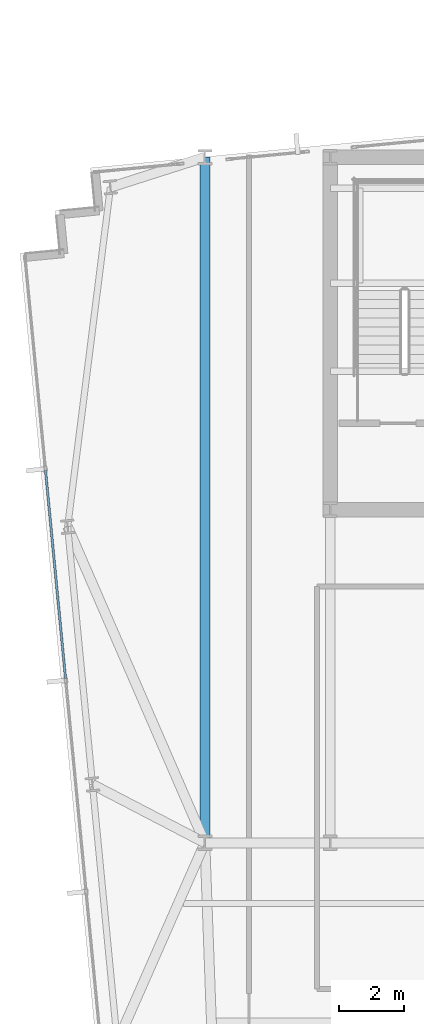
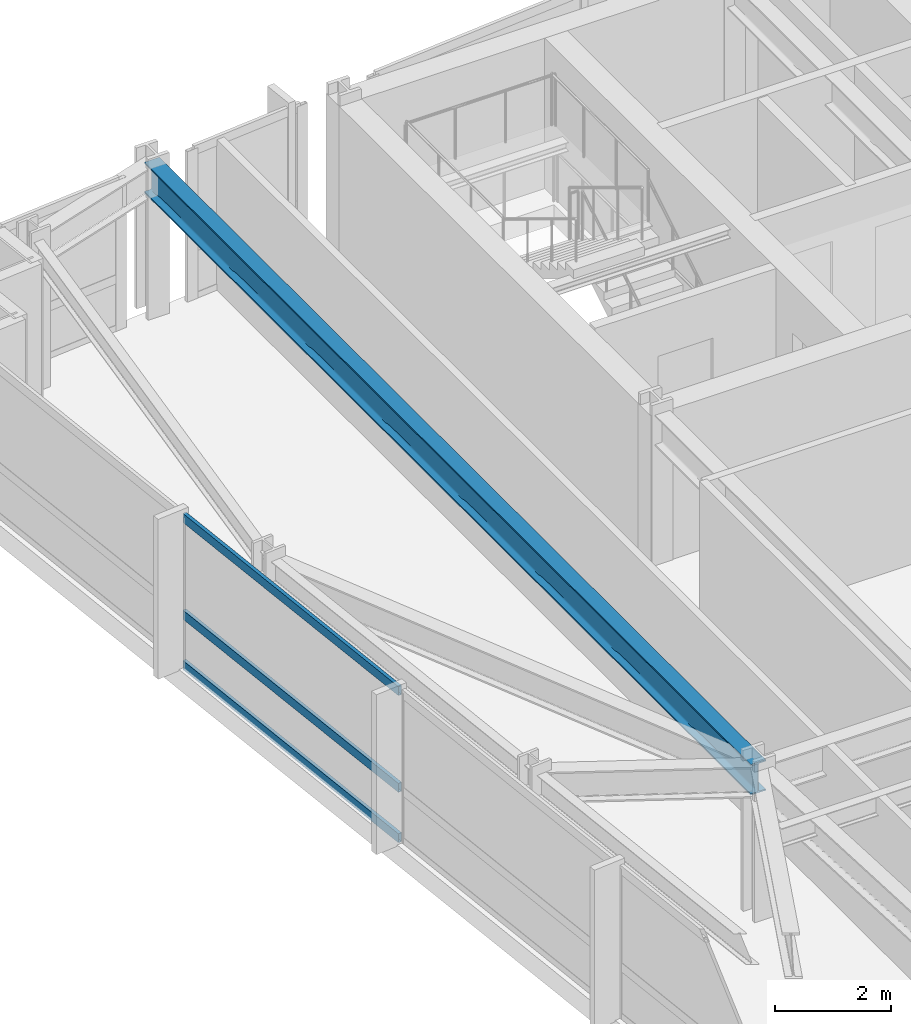
# One storey, part 8 of 33: 3 members, 1 beam, 1 element without a shape of its own.
"""IFC4 building model written with IfcOpenShell, lengths in metres."""

from ifc_helpers import new_model, si_unit, direction, frame, origin, origin_2d, place, context, subcontext, project, spatial, hollow_rectangle, i_section, extrude, material, material_profile, profile_set, type_object, element, aggregate, save


model = new_model("IFC4")

# Units and contexts
model_context = context("Model", 3, precision=1e-05, world=origin(), true_north=direction((0.0, 1.0)))
body_context = subcontext(model_context, "Body", "Model", "MODEL_VIEW")
ifc_project = project(units=[si_unit("LENGTHUNIT", "METRE"), si_unit("AREAUNIT", "SQUARE_METRE"), si_unit("VOLUMEUNIT", "CUBIC_METRE"), si_unit("PLANEANGLEUNIT", "RADIAN"), si_unit("MASSUNIT", "GRAM", prefix="KILO")], contexts=[model_context])

# Site, building, storey
site_placement = place(None, origin())
site = spatial("IfcSite", under=ifc_project, at=site_placement, CompositionType="ELEMENT")
building_placement = place(site_placement, origin())
building = spatial("IfcBuilding", under=site, at=building_placement, Name="Yelkora Congress Tower", CompositionType="ELEMENT")
storey_placement = place(building_placement, frame((0.0, 0.0, 89.699951171875)))
storey = spatial("IfcBuildingStorey", under=building, at=storey_placement, Name="L23", CompositionType="ELEMENT", Elevation=89.699951171875)

# Beam
ifc_material_1 = material(Name="Steel S355J2", Category="steel")
ifc_material_profile_1 = material_profile(ifc_material_1, i_section(OverallWidth=0.300048828125, OverallDepth=0.64990234375, WebThickness=0.01611328125, FlangeThickness=0.031005859375, FilletRadius=0.027099609375, at=origin_2d()), Name="HEB 650")
ifc_profile_set_1 = profile_set([ifc_material_profile_1], Name="Steel S355J2")
beam_type = type_object("IfcBeamType", Name="BM-GIRD-HEB650", PredefinedType="BEAM", material=ifc_profile_set_1)
beam_placement = place(storey_placement, frame((19.199951171875, 25.199951171875, 2.85498046875), z_axis=(0.0, 1.0, 0.0), x_axis=(-1.0, 0.0, 0.0)))
element("IfcBeam", 1, at=beam_placement, inside=storey, type_object=beam_type, Name="L23 Neck Flank Girder MC-F1", PredefinedType="BEAM", context=body_context, shape_type="SweptSolid", body=[
    extrude(i_section(OverallWidth=0.300048828125, OverallDepth=0.64990234375, WebThickness=0.01611328125, FlangeThickness=0.031005859375, FilletRadius=0.027099609375, at=origin_2d()), origin(), (0.0, 0.0, 1.0), 21.0),
])

# Curtain wall, members
ifc_material_2 = material(Name="Anodised aluminium and insulated glass", Category="aluminium")
curtain_wall_type = type_object("IfcCurtainWallType", Name="CW-SYS-SKY", PredefinedType="NOTDEFINED", material=ifc_material_2)
curtain_wall_placement = place(storey_placement, origin())
curtain_wall = element("IfcCurtainWall", 2, at=curtain_wall_placement, inside=storey, type_object=curtain_wall_type, Name="L23 Unitised Curtain Wall 5", PredefinedType="NOTDEFINED")
ifc_material_3 = material(Name="Anodised aluminium 6063-T6", Category="aluminium")
ifc_material_profile_2 = material_profile(ifc_material_3, hollow_rectangle(XDim=0.070068359375, YDim=0.18994140625, WallThickness=0.00390625, at=origin_2d()), Name="ALU 70x190x4")
ifc_profile_set_2 = profile_set([ifc_material_profile_2], Name="Anodised aluminium 6063-T6")
member_type = type_object("IfcMemberType", Name="MEM-TR-SKY", PredefinedType="USERDEFINED", material=ifc_profile_set_2)
member_1_placement = place(storey_placement, frame((14.93408203125, 30.2158203125, 0.03515625), z_axis=(-0.095848441597, 0.995395939435, 0.0), x_axis=(-0.995395939435, -0.095848441597, 0.0)))
member_1 = element("IfcMember", 3, at=member_1_placement, type_object=member_type, Name="CW-SKY transom 4.1", ObjectType="TRANSOM", PredefinedType="USERDEFINED", context=body_context, shape_type="SweptSolid", body=[
    extrude(hollow_rectangle(XDim=0.070068359375, YDim=0.18994140625, WallThickness=0.00390625, at=origin_2d()), origin(), (0.0, 0.0, 1.0), 6.428955078125),
])
member_2_placement = place(storey_placement, frame((14.93408203125, 30.2158203125, 1.10009765625), z_axis=(-0.095848441597, 0.995395939435, 0.0), x_axis=(-0.995395939435, -0.095848441597, 0.0)))
member_2 = element("IfcMember", 4, at=member_2_placement, type_object=member_type, Name="CW-SKY transom 4.2", ObjectType="TRANSOM", PredefinedType="USERDEFINED", context=body_context, shape_type="SweptSolid", body=[
    extrude(hollow_rectangle(XDim=0.070068359375, YDim=0.18994140625, WallThickness=0.00390625, at=origin_2d()), origin(), (0.0, 0.0, 1.0), 6.428955078125),
])
member_3_placement = place(storey_placement, frame((14.93408203125, 30.2158203125, 3.14501953125), z_axis=(-0.095848441597, 0.995395939435, 0.0), x_axis=(-0.995395939435, -0.095848441597, 0.0)))
member_3 = element("IfcMember", 5, at=member_3_placement, type_object=member_type, Name="CW-SKY transom 4.3", ObjectType="TRANSOM", PredefinedType="USERDEFINED", context=body_context, shape_type="SweptSolid", body=[
    extrude(hollow_rectangle(XDim=0.070068359375, YDim=0.18994140625, WallThickness=0.00390625, at=origin_2d()), origin(), (0.0, 0.0, 1.0), 6.428955078125),
])
aggregate(curtain_wall, [member_1, member_2, member_3])

save(model, "model.ifc")
